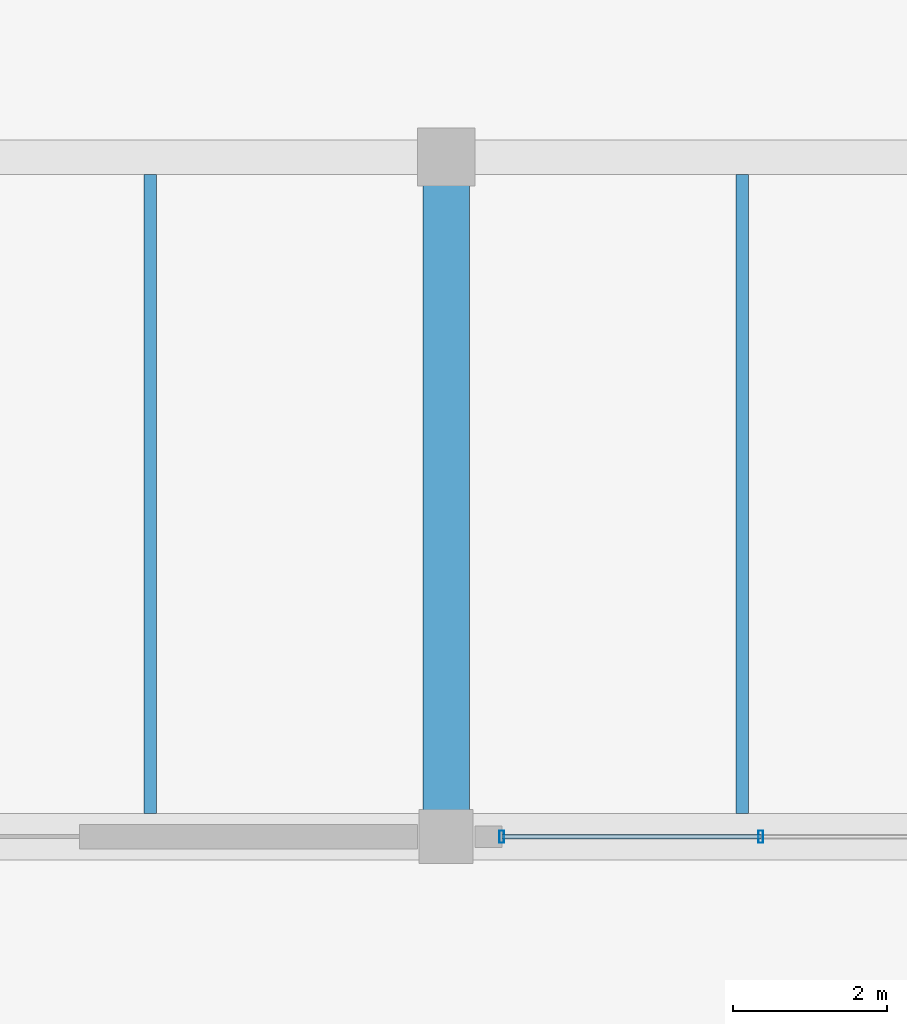
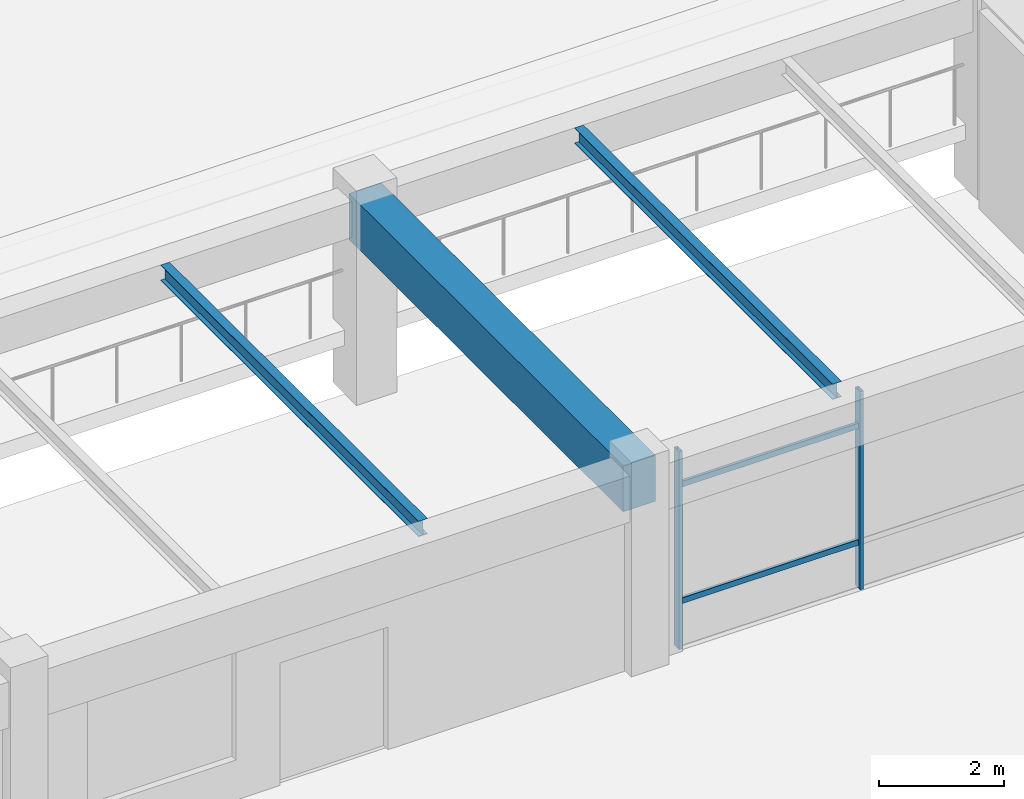
# One storey, part 8 of 109: 4 members, 3 beams, 1 element without a shape of its own.
"""IFC4 building model written with IfcOpenShell, lengths in metres."""

from ifc_helpers import new_model, si_unit, direction, frame, origin, origin_2d, place, context, subcontext, project, spatial, rectangle, hollow_rectangle, i_section, extrude, material, material_profile, profile_set, type_object, element, aggregate, save


model = new_model("IFC4")

# Units and contexts
model_context = context("Model", 3, precision=1e-05, world=origin(), true_north=direction((0.0, 1.0)))
body_context = subcontext(model_context, "Body", "Model", "MODEL_VIEW")
ifc_project = project(units=[si_unit("LENGTHUNIT", "METRE"), si_unit("AREAUNIT", "SQUARE_METRE"), si_unit("VOLUMEUNIT", "CUBIC_METRE"), si_unit("PLANEANGLEUNIT", "RADIAN"), si_unit("MASSUNIT", "GRAM", prefix="KILO")], contexts=[model_context])

# Site, building, storey
site_placement = place(None, origin())
site = spatial("IfcSite", under=ifc_project, at=site_placement, CompositionType="ELEMENT")
building_placement = place(site_placement, origin())
building = spatial("IfcBuilding", under=site, at=building_placement, Name="Ologun Quay Terminus", CompositionType="ELEMENT")
storey_placement = place(building_placement, origin())
storey = spatial("IfcBuildingStorey", under=building, at=storey_placement, Name="L00", CompositionType="ELEMENT", Elevation=0.0)

# Curtain wall, members
ifc_material_1 = material(Name="Aluminium 6063-T6", Category="aluminium")
curtain_wall_type = type_object("IfcCurtainWallType", Name="Forecourt Arcade Curtain Wall 10700x3750", PredefinedType="USERDEFINED", material=ifc_material_1)
curtain_wall_placement = place(storey_placement, origin())
curtain_wall = element("IfcCurtainWall", 1, at=curtain_wall_placement, inside=storey, type_object=curtain_wall_type, Name="CW-03 Curtain Wall CW-L00-002", ObjectType="UNITISED CURTAIN WALL", PredefinedType="USERDEFINED")
ifc_material_2 = material(Name="Aluminium 6063-T6", Category="aluminium")
ifc_material_profile_1 = material_profile(ifc_material_2, hollow_rectangle(XDim=0.06005859375, YDim=0.159912109375, WallThickness=0.00390625, at=origin_2d()), Name="ALU 160x60x4")
ifc_profile_set_1 = profile_set([ifc_material_profile_1], Name="Aluminium 6063-T6")
member_type_1 = type_object("IfcMemberType", Name="Curtain Wall Standard Mullion 160x65", PredefinedType="MULLION", material=ifc_profile_set_1)
member_1_placement = place(storey_placement, frame((35.219970703125, 27.199951171875, 0.0), z_axis=(0.0, 0.0, 1.0), x_axis=(1.0, 0.0, 0.0)))
member_1 = element("IfcMember", 2, at=member_1_placement, type_object=member_type_1, Name="CW-L00-002 Mullion 1", PredefinedType="MULLION", context=body_context, shape_type="SweptSolid", body=[
    extrude(hollow_rectangle(XDim=0.06005859375, YDim=0.159912109375, WallThickness=0.00390625, at=origin_2d()), origin(), (0.0, 0.0, 1.0), 3.8798828125),
])
member_2_placement = place(storey_placement, frame((38.5732421875, 27.199951171875, 0.0), z_axis=(0.0, 0.0, 1.0), x_axis=(1.0, 0.0, 0.0)))
member_2 = element("IfcMember", 3, at=member_2_placement, type_object=member_type_1, Name="CW-L00-002 Mullion 2", PredefinedType="MULLION", context=body_context, shape_type="SweptSolid", body=[
    extrude(hollow_rectangle(XDim=0.06005859375, YDim=0.159912109375, WallThickness=0.00390625, at=origin_2d()), origin(), (0.0, 0.0, 1.0), 3.8798828125),
])
ifc_material_3 = material(Name="Aluminium 6063-T6", Category="aluminium")
ifc_material_profile_2 = material_profile(ifc_material_3, hollow_rectangle(XDim=0.054931640625, YDim=0.110107421875, WallThickness=0.00390625, at=origin_2d()), Name="ALU 110x55x4")
ifc_profile_set_2 = profile_set([ifc_material_profile_2], Name="Aluminium 6063-T6")
member_type_2 = type_object("IfcMemberType", Name="Curtain Wall Standard Transom 110x55", PredefinedType="USERDEFINED", material=ifc_profile_set_2)
member_3_placement = place(storey_placement, frame((35.219970703125, 27.199951171875, 0.89990234375), z_axis=(1.0, 0.0, 0.0), x_axis=(0.0, 1.0, 0.0)))
member_3 = element("IfcMember", 4, at=member_3_placement, type_object=member_type_2, Name="CW-L00-002 Transom B1-1", ObjectType="TRANSOM", PredefinedType="USERDEFINED", context=body_context, shape_type="SweptSolid", body=[
    extrude(hollow_rectangle(XDim=0.054931640625, YDim=0.110107421875, WallThickness=0.00390625, at=origin_2d()), origin(), (0.0, 0.0, 1.0), 3.353271484375),
])
member_4_placement = place(storey_placement, frame((35.219970703125, 27.199951171875, 3.179931640625), z_axis=(1.0, 0.0, 0.0), x_axis=(0.0, 1.0, 0.0)))
member_4 = element("IfcMember", 5, at=member_4_placement, type_object=member_type_2, Name="CW-L00-002 Transom B1-2", ObjectType="TRANSOM", PredefinedType="USERDEFINED", context=body_context, shape_type="SweptSolid", body=[
    extrude(hollow_rectangle(XDim=0.054931640625, YDim=0.110107421875, WallThickness=0.00390625, at=origin_2d()), origin(), (0.0, 0.0, 1.0), 3.353271484375),
])
aggregate(curtain_wall, [member_1, member_2, member_3, member_4])

# Beams
ifc_material_4 = material(Name="Steel S355", Category="steel")
ifc_material_profile_3 = material_profile(ifc_material_4, i_section(OverallWidth=0.1650390625, OverallDepth=0.303466796875, WebThickness=0.006103515625, FlangeThickness=0.01025390625, at=origin_2d()), Name="UKB 305x165x40")
ifc_profile_set_3 = profile_set([ifc_material_profile_3], Name="Steel S355")
beam_type_1 = type_object("IfcBeamType", Name="Mezzanine Steel Joist UKB305", PredefinedType="JOIST", material=ifc_profile_set_3)
for number, where, z_axis, x_axis, name in (
    (6, (30.666748046875, 27.5, 3.748291015625), (0.0, 1.0, 0.0), (-1.0, 0.0, 0.0), "SJ1 Beam 3/D L00"),
    (7, (38.333251953125, 27.5, 3.748291015625), (0.0, 1.0, 0.0), (-1.0, 0.0, 0.0), "SJ1 Beam 4/D L00"),
):
    element("IfcBeam", number, at=place(storey_placement, frame(where, z_axis=z_axis, x_axis=x_axis)), inside=storey, type_object=beam_type_1, Name=name, PredefinedType="JOIST", context=body_context, shape_type="SweptSolid", body=[
        extrude(i_section(OverallWidth=0.1650390625, OverallDepth=0.303466796875, WebThickness=0.006103515625, FlangeThickness=0.01025390625, at=origin_2d()), origin(), (0.0, 0.0, 1.0), 8.27490234375),
    ])
ifc_material_5 = material(Name="Concrete C40/50", Category="concrete")
ifc_material_profile_4 = material_profile(ifc_material_5, rectangle(XDim=0.60009765625, YDim=0.89990234375, at=origin_2d()), Name="RC 600x900")
ifc_profile_set_4 = profile_set([ifc_material_profile_4], Name="Concrete C40/50")
beam_type_2 = type_object("IfcBeamType", Name="Station Frame Girder 600x900", PredefinedType="BEAM", material=ifc_profile_set_4)
beam_placement = place(storey_placement, frame((34.5, 27.199951171875, 3.449951171875), z_axis=(0.0, 1.0, 0.0), x_axis=(-1.0, 0.0, 0.0)))
element("IfcBeam", 8, at=beam_placement, inside=storey, type_object=beam_type_2, Name="B3 Beam 4/D L00", PredefinedType="BEAM", context=body_context, shape_type="SweptSolid", body=[
    extrude(rectangle(XDim=0.60009765625, YDim=0.89990234375, at=origin_2d()), origin(), (0.0, 0.0, 1.0), 8.800048828125),
])

save(model, "model.ifc")
